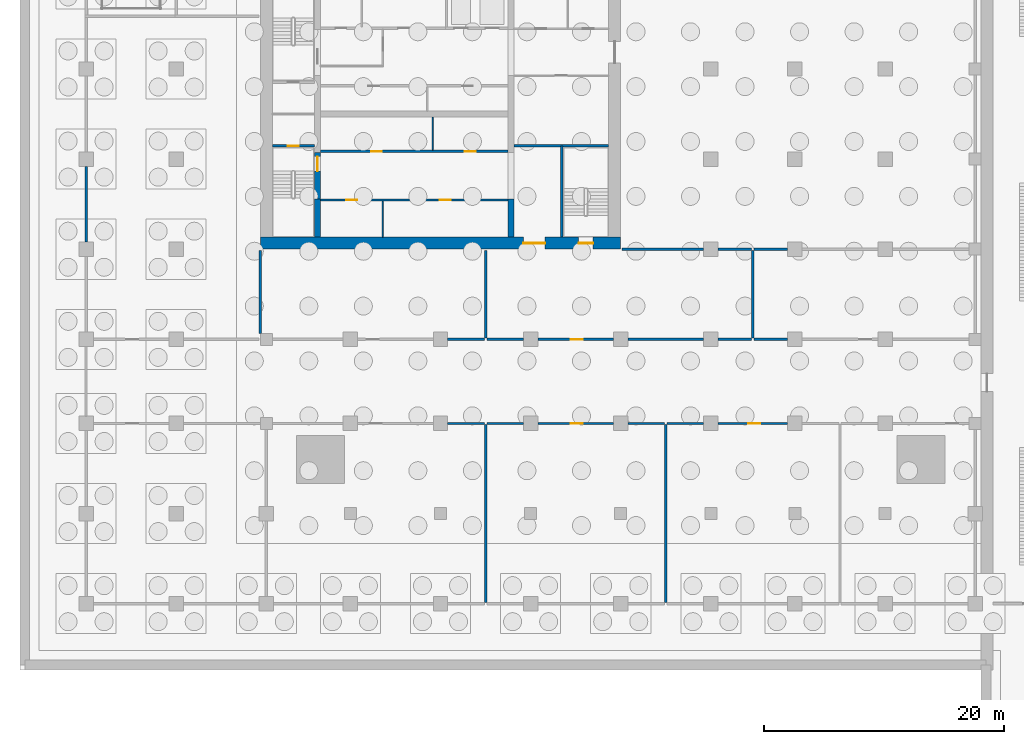
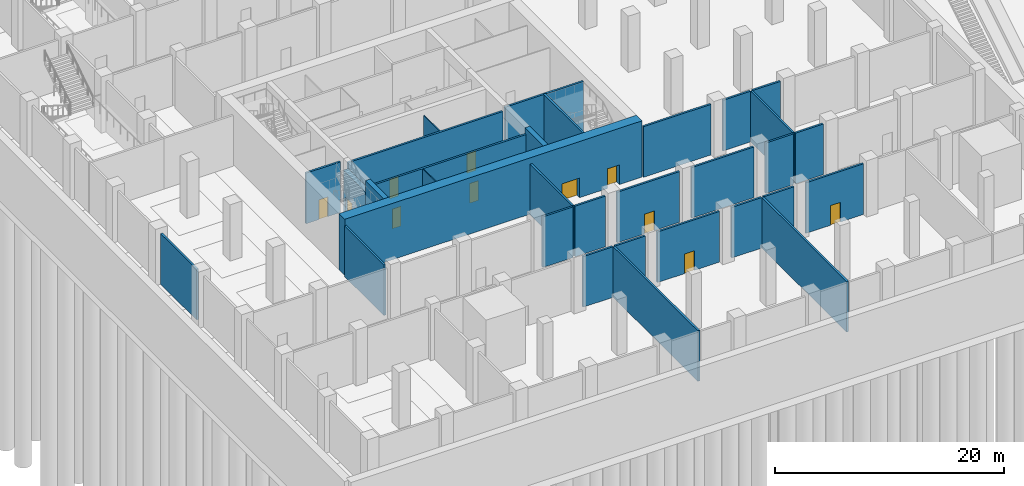
# One storey, part 7 of 39: 32 walls, 11 doors, 11 openings.
"""IFC4 building model written with IfcOpenShell, lengths in metres."""

from ifc_helpers import new_model, si_unit, direction, frame, frame_2d, origin, place, context, subcontext, project, spatial, rectangle, extrude, material, layer, layer_set, type_object, element, fill, save


model = new_model("IFC4")

# Units and contexts
model_context = context("Model", 3, precision=1e-05, world=origin(), true_north=direction((0.0, 1.0)))
body_context = subcontext(model_context, "Body", "Model", "MODEL_VIEW")
ifc_project = project(units=[si_unit("LENGTHUNIT", "METRE"), si_unit("AREAUNIT", "SQUARE_METRE"), si_unit("VOLUMEUNIT", "CUBIC_METRE"), si_unit("PLANEANGLEUNIT", "RADIAN"), si_unit("MASSUNIT", "GRAM", prefix="KILO")], contexts=[model_context])

# Site, building, storey
site_placement = place(None, origin())
site = spatial("IfcSite", under=ifc_project, at=site_placement, CompositionType="ELEMENT")
building_placement = place(site_placement, origin())
building = spatial("IfcBuilding", under=site, at=building_placement, Name="Tamorin Gate", CompositionType="ELEMENT")
storey_placement = place(building_placement, frame((0.0, 0.0, -12.0)))
storey = spatial("IfcBuildingStorey", under=building, at=storey_placement, Name="B2", CompositionType="ELEMENT", Elevation=-12.0)

# Walls
ifc_material_1 = material(Name="Concrete masonry C20/25", Category="masonry")
ifc_layer_1 = layer(ifc_material_1, 0.199951171875)
ifc_layer_set_1 = layer_set([ifc_layer_1], Name="Plant room wall 200")
wall_type_1 = type_object("IfcWallType", Name="Plant room wall 200", PredefinedType="PARTITIONING", material=ifc_layer_set_1)
for number, where, z_axis, x_axis, name in (
    (1, (45.60009765625, 45.5, 0.0), (0.0, 0.0, 1.0), (1.0, 0.0, 0.0), "Plant room wall 200 B2"),
    (2, (48.85009765625, 45.5, 0.0), (0.0, 0.0, 1.0), (1.0, 0.0, 0.0), "Plant room wall 200 B2"),
):
    element("IfcWall", number, at=place(storey_placement, frame(where, z_axis=z_axis, x_axis=x_axis)), inside=storey, type_object=wall_type_1, Name=name, PredefinedType="PARTITIONING", context=body_context, shape_type="SweptSolid", body=[
        extrude(rectangle(XDim=3.0498046875, YDim=0.199951171875, at=frame_2d((1.52490234375, 0.0))), origin(), (0.0, 0.0, 1.0), 5.39990234375),
    ])

# Wall, opening, door
wall_1_placement = place(storey_placement, frame((53.10009765625, 45.5, 0.0), z_axis=(0.0, 0.0, 1.0), x_axis=(1.0, 0.0, 0.0)))
wall_1 = element("IfcWall", 3, at=wall_1_placement, inside=storey, type_object=wall_type_1, Name="Plant room wall 200 B2", PredefinedType="PARTITIONING", context=body_context, shape_type="SweptSolid", body=[
    extrude(rectangle(XDim=6.2998046875, YDim=0.199951171875, at=frame_2d((3.14990234375, 0.0))), origin(), (0.0, 0.0, 1.0), 5.39990234375),
])
opening_1_placement = place(wall_1_placement, frame((2.75, 0.0, 0.0)))
opening_1 = element("IfcOpeningElement", 4, at=opening_1_placement, cuts=wall_1, Name="Opening DP2", PredefinedType="OPENING", context=body_context, shape_type="SweptSolid", body=[
    extrude(rectangle(XDim=1.0, YDim=2.10009765625, at=frame_2d((0.5, 1.050048828125))), frame((0.0, 0.10986328125, 0.0), z_axis=(0.0, -1.0, 0.0), x_axis=(1.0, 0.0, 0.0)), (0.0, 0.0, 1.0), 0.219970703125),
])
ifc_material_2 = material(Name="Painted steel", Category="steel")
door_type_1 = type_object("IfcDoorType", Name="Door single 1000", OperationType="SINGLE_SWING_LEFT", PredefinedType="DOOR", material=ifc_material_2)
door_1_placement = place(opening_1_placement, origin())
door_1 = element("IfcDoor", 5, at=door_1_placement, inside=storey, type_object=door_type_1, Name="Door single 1000 B2", OperationType="SINGLE_SWING_LEFT", OverallHeight=2.10009765625, OverallWidth=1.0, PredefinedType="DOOR", context=body_context, shape_type="SweptSolid", body=[
    extrude(rectangle(XDim=1.0, YDim=2.10009765625, at=frame_2d((0.5, 1.050048828125))), frame((0.0, 0.02490234375, 0.0), z_axis=(0.0, -1.0, 0.0), x_axis=(1.0, 0.0, 0.0)), (0.0, 0.0, 1.0), 0.050048828125),
])
fill(opening_1, door_1)

# Walls
for number, where, z_axis, x_axis, name in (
    (6, (60.60009765625, 45.5, 0.0), (0.0, 0.0, 1.0), (1.0, 0.0, 0.0), "Plant room wall 200 B2"),
    (7, (63.85009765625, 45.5, 0.0), (0.0, 0.0, 1.0), (1.0, 0.0, 0.0), "Plant room wall 200 B2"),
):
    element("IfcWall", number, at=place(storey_placement, frame(where, z_axis=z_axis, x_axis=x_axis)), inside=storey, type_object=wall_type_1, Name=name, PredefinedType="PARTITIONING", context=body_context, shape_type="SweptSolid", body=[
        extrude(rectangle(XDim=3.0498046875, YDim=0.199951171875, at=frame_2d((1.52490234375, 0.0))), origin(), (0.0, 0.0, 1.0), 5.39990234375),
    ])

# Wall, opening, door
wall_2_placement = place(storey_placement, frame((68.10009765625, 45.5, 0.0), z_axis=(0.0, 0.0, 1.0), x_axis=(1.0, 0.0, 0.0)))
wall_2 = element("IfcWall", 8, at=wall_2_placement, inside=storey, type_object=wall_type_1, Name="Plant room wall 200 B2", PredefinedType="PARTITIONING", context=body_context, shape_type="SweptSolid", body=[
    extrude(rectangle(XDim=5.7998046875, YDim=0.199951171875, at=frame_2d((2.89990234375, 0.0))), origin(), (0.0, 0.0, 1.0), 5.39990234375),
])
opening_2_placement = place(wall_2_placement, frame((2.5, 0.0, 0.0)))
opening_2 = element("IfcOpeningElement", 9, at=opening_2_placement, cuts=wall_2, Name="Opening DP2", PredefinedType="OPENING", context=body_context, shape_type="SweptSolid", body=[
    extrude(rectangle(XDim=1.0, YDim=2.10009765625, at=frame_2d((0.5, 1.050048828125))), frame((0.0, 0.10986328125, 0.0), z_axis=(0.0, -1.0, 0.0), x_axis=(1.0, 0.0, 0.0)), (0.0, 0.0, 1.0), 0.219970703125),
])
door_2_placement = place(opening_2_placement, origin())
door_2 = element("IfcDoor", 10, at=door_2_placement, inside=storey, type_object=door_type_1, Name="Door single 1000 B2", OperationType="SINGLE_SWING_LEFT", OverallHeight=2.10009765625, OverallWidth=1.0, PredefinedType="DOOR", context=body_context, shape_type="SweptSolid", body=[
    extrude(rectangle(XDim=1.0, YDim=2.10009765625, at=frame_2d((0.5, 1.050048828125))), frame((0.0, 0.02490234375, 0.0), z_axis=(0.0, -1.0, 0.0), x_axis=(1.0, 0.0, 0.0)), (0.0, 0.0, 1.0), 0.050048828125),
])
fill(opening_2, door_2)

# Walls
for number, where, z_axis, x_axis, name in (
    (11, (45.60009765625, 52.5, 0.0), (0.0, 0.0, 1.0), (1.0, 0.0, 0.0), "Plant room wall 200 B2"),
    (12, (48.85009765625, 52.5, 0.0), (0.0, 0.0, 1.0), (1.0, 0.0, 0.0), "Plant room wall 200 B2"),
):
    element("IfcWall", number, at=place(storey_placement, frame(where, z_axis=z_axis, x_axis=x_axis)), inside=storey, type_object=wall_type_1, Name=name, PredefinedType="PARTITIONING", context=body_context, shape_type="SweptSolid", body=[
        extrude(rectangle(XDim=3.0498046875, YDim=0.199951171875, at=frame_2d((1.52490234375, 0.0))), origin(), (0.0, 0.0, 1.0), 5.39990234375),
    ])

# Wall, opening, door
wall_3_placement = place(storey_placement, frame((59.39990234375, 52.5, 0.0), z_axis=(0.0, 0.0, 1.0), x_axis=(-1.0, 0.0, 0.0)))
wall_3 = element("IfcWall", 13, at=wall_3_placement, inside=storey, type_object=wall_type_1, Name="Plant room wall 200 B2", PredefinedType="PARTITIONING", context=body_context, shape_type="SweptSolid", body=[
    extrude(rectangle(XDim=6.2998046875, YDim=0.199951171875, at=frame_2d((3.14990234375, 0.0))), origin(), (0.0, 0.0, 1.0), 5.39990234375),
])
opening_3_placement = place(wall_3_placement, frame((2.550048828125, 0.0, 0.0)))
opening_3 = element("IfcOpeningElement", 14, at=opening_3_placement, cuts=wall_3, Name="Opening DP2", PredefinedType="OPENING", context=body_context, shape_type="SweptSolid", body=[
    extrude(rectangle(XDim=1.0, YDim=2.10009765625, at=frame_2d((0.5, 1.050048828125))), frame((0.0, 0.10986328125, 0.0), z_axis=(0.0, -1.0, 0.0), x_axis=(1.0, 0.0, 0.0)), (0.0, 0.0, 1.0), 0.219970703125),
])
door_3_placement = place(opening_3_placement, origin())
door_3 = element("IfcDoor", 15, at=door_3_placement, inside=storey, type_object=door_type_1, Name="Door single 1000 B2", OperationType="SINGLE_SWING_LEFT", OverallHeight=2.10009765625, OverallWidth=1.0, PredefinedType="DOOR", context=body_context, shape_type="SweptSolid", body=[
    extrude(rectangle(XDim=1.0, YDim=2.10009765625, at=frame_2d((0.5, 1.050048828125))), frame((0.0, 0.02490234375, 0.0), z_axis=(0.0, -1.0, 0.0), x_axis=(1.0, 0.0, 0.0)), (0.0, 0.0, 1.0), 0.050048828125),
])
fill(opening_3, door_3)

# Walls
wall_4_placement = place(storey_placement, frame((60.60009765625, 52.5, 0.0), z_axis=(0.0, 0.0, 1.0), x_axis=(1.0, 0.0, 0.0)))
element("IfcWall", 16, at=wall_4_placement, inside=storey, type_object=wall_type_1, Name="Plant room wall 200 B2", PredefinedType="PARTITIONING", context=body_context, shape_type="SweptSolid", body=[
    extrude(rectangle(XDim=6.2998046875, YDim=0.199951171875, at=frame_2d((3.14990234375, 0.0))), origin(), (0.0, 0.0, 1.0), 5.39990234375),
])
for number, where, z_axis, x_axis, name in (
    (17, (68.10009765625, 52.5, 0.0), (0.0, 0.0, 1.0), (1.0, 0.0, 0.0), "Plant room wall 200 B2"),
    (18, (71.10009765625, 52.5, 0.0), (0.0, 0.0, 1.0), (1.0, 0.0, 0.0), "Plant room wall 200 B2"),
):
    element("IfcWall", number, at=place(storey_placement, frame(where, z_axis=z_axis, x_axis=x_axis)), inside=storey, type_object=wall_type_1, Name=name, PredefinedType="PARTITIONING", context=body_context, shape_type="SweptSolid", body=[
        extrude(rectangle(XDim=2.7998046875, YDim=0.199951171875, at=frame_2d((1.39990234375, 0.0))), origin(), (0.0, 0.0, 1.0), 5.39990234375),
    ])
wall_5_placement = place(storey_placement, frame((60.10009765625, 60.0, 0.0), z_axis=(0.0, 0.0, 1.0), x_axis=(1.0, 0.0, 0.0)))
element("IfcWall", 19, at=wall_5_placement, inside=storey, type_object=wall_type_1, Name="Plant room wall 200 B2", PredefinedType="PARTITIONING", context=body_context, shape_type="SweptSolid", body=[
    extrude(rectangle(XDim=6.7998046875, YDim=0.199951171875, at=frame_2d((3.39990234375, 0.0))), origin(), (0.0, 0.0, 1.0), 5.39990234375),
])
for number, where, z_axis, x_axis, name in (
    (20, (68.10009765625, 60.0, 0.0), (0.0, 0.0, 1.0), (1.0, 0.0, 0.0), "Plant room wall 200 B2"),
    (21, (71.10009765625, 60.0, 0.0), (0.0, 0.0, 1.0), (1.0, 0.0, 0.0), "Plant room wall 200 B2"),
):
    element("IfcWall", number, at=place(storey_placement, frame(where, z_axis=z_axis, x_axis=x_axis)), inside=storey, type_object=wall_type_1, Name=name, PredefinedType="PARTITIONING", context=body_context, shape_type="SweptSolid", body=[
        extrude(rectangle(XDim=2.7998046875, YDim=0.199951171875, at=frame_2d((1.39990234375, 0.0))), origin(), (0.0, 0.0, 1.0), 5.39990234375),
    ])
wall_6_placement = place(storey_placement, frame((15.5, 60.60009765625, 0.0), z_axis=(0.0, 0.0, 1.0), x_axis=(0.0, 1.0, 0.0)))
element("IfcWall", 22, at=wall_6_placement, inside=storey, type_object=wall_type_1, Name="Plant room wall 200 B2", PredefinedType="PARTITIONING", context=body_context, shape_type="SweptSolid", body=[
    extrude(rectangle(XDim=6.2998046875, YDim=0.199951171875, at=frame_2d((3.14990234375, 0.0))), origin(), (0.0, 0.0, 1.0), 5.39990234375),
])
wall_7_placement = place(storey_placement, frame((48.75, 30.60009765625, 0.0), z_axis=(0.0, 0.0, 1.0), x_axis=(0.0, 1.0, 0.0)))
element("IfcWall", 23, at=wall_7_placement, inside=storey, type_object=wall_type_1, Name="Plant room wall 200 B2", PredefinedType="PARTITIONING", context=body_context, shape_type="SweptSolid", body=[
    extrude(rectangle(XDim=14.7998046875, YDim=0.199951171875, at=frame_2d((7.39990234375, 0.0))), origin(), (0.0, 0.0, 1.0), 5.39990234375),
])
wall_8_placement = place(storey_placement, frame((48.75, 52.60009765625, 0.0), z_axis=(0.0, 0.0, 1.0), x_axis=(0.0, 1.0, 0.0)))
element("IfcWall", 24, at=wall_8_placement, inside=storey, type_object=wall_type_1, Name="Plant room wall 200 B2", PredefinedType="PARTITIONING", context=body_context, shape_type="SweptSolid", body=[
    extrude(rectangle(XDim=7.2998046875, YDim=0.199951171875, at=frame_2d((3.64990234375, 0.0))), origin(), (0.0, 0.0, 1.0), 5.39990234375),
])
wall_9_placement = place(storey_placement, frame((63.75, 30.60009765625, 0.0), z_axis=(0.0, 0.0, 1.0), x_axis=(0.0, 1.0, 0.0)))
element("IfcWall", 25, at=wall_9_placement, inside=storey, type_object=wall_type_1, Name="Plant room wall 200 B2", PredefinedType="PARTITIONING", context=body_context, shape_type="SweptSolid", body=[
    extrude(rectangle(XDim=14.7998046875, YDim=0.199951171875, at=frame_2d((7.39990234375, 0.0))), origin(), (0.0, 0.0, 1.0), 5.39990234375),
])
wall_10_placement = place(storey_placement, frame((30.0, 53.0, 0.0), z_axis=(0.0, 0.0, 1.0), x_axis=(0.0, 1.0, 0.0)))
element("IfcWall", 26, at=wall_10_placement, inside=storey, type_object=wall_type_1, Name="Plant room wall 200 B2", PredefinedType="PARTITIONING", context=body_context, shape_type="SweptSolid", body=[
    extrude(rectangle(XDim=6.89990234375, YDim=0.199951171875, at=frame_2d((3.449951171875, 0.0))), origin(), (0.0, 0.0, 1.0), 5.39990234375),
])
wall_11_placement = place(storey_placement, frame((71.0, 52.60009765625, 0.0), z_axis=(0.0, 0.0, 1.0), x_axis=(0.0, 1.0, 0.0)))
element("IfcWall", 27, at=wall_11_placement, inside=storey, type_object=wall_type_1, Name="Plant room wall 200 B2", PredefinedType="PARTITIONING", context=body_context, shape_type="SweptSolid", body=[
    extrude(rectangle(XDim=7.2998046875, YDim=0.199951171875, at=frame_2d((3.64990234375, 0.0))), origin(), (0.0, 0.0, 1.0), 5.39990234375),
])
ifc_material_3 = material(Name="Concrete C80/95", Category="concrete")
ifc_layer_2 = layer(ifc_material_3, 0.5)
ifc_layer_set_2 = layer_set([ifc_layer_2], Name="RC core internal wall 500 C80/95")
wall_type_2 = type_object("IfcWallType", Name="RC core internal wall 500 C80/95", PredefinedType="SHEAR", material=ifc_layer_set_2)
for number, where, z_axis, x_axis, name in (
    (28, (34.75, 61.0, 0.0), (0.0, 0.0, 1.0), (0.0, 1.0, 0.0), "Core cross wall B2"),
    (29, (50.85009765625, 61.0, 0.0), (0.0, 0.0, 1.0), (0.0, 1.0, 0.0), "Core cross wall B2"),
):
    element("IfcWall", number, at=place(storey_placement, frame(where, z_axis=z_axis, x_axis=x_axis)), inside=storey, type_object=wall_type_2, Name=name, PredefinedType="SHEAR", context=body_context, shape_type="SweptSolid", body=[
        extrude(rectangle(XDim=3.199951171875, YDim=0.5, at=frame_2d((1.60009765625, 0.0))), origin(), (0.0, 0.0, 1.0), 6.0),
    ])

# Wall, openings, doors
ifc_layer_3 = layer(ifc_material_3, 1.0)
ifc_layer_set_3 = layer_set([ifc_layer_3], Name="RC core wall 1000 C80/95")
wall_type_3 = type_object("IfcWallType", Name="RC core wall 1000 C80/95", PredefinedType="SHEAR", material=ifc_layer_set_3)
wall_12_placement = place(storey_placement, frame((30.0, 60.5, 0.0), z_axis=(0.0, 0.0, 1.0), x_axis=(1.0, 0.0, 0.0)))
wall_12 = element("IfcWall", 30, at=wall_12_placement, inside=storey, type_object=wall_type_3, Name="Core wall B2", PredefinedType="SHEAR", context=body_context, shape_type="SweptSolid", body=[
    extrude(rectangle(XDim=30.0, YDim=1.0, at=frame_2d((15.0, 0.0))), origin(), (0.0, 0.0, 1.0), 6.0),
])
opening_4_placement = place(wall_12_placement, frame((21.89990234375, 0.0, 0.0)))
opening_4 = element("IfcOpeningElement", 31, at=opening_4_placement, cuts=wall_12, Name="Opening DE1", PredefinedType="OPENING", context=body_context, shape_type="SweptSolid", body=[
    extrude(rectangle(XDim=1.800048828125, YDim=2.10009765625, at=frame_2d((0.89990234375, 1.050048828125))), frame((0.0, 0.510009765625, 0.0), z_axis=(0.0, -1.0, 0.0), x_axis=(1.0, 0.0, 0.0)), (0.0, 0.0, 1.0), 1.02001953125),
])
opening_5_placement = place(wall_12_placement, frame((26.5, 0.0, 0.0)))
opening_5 = element("IfcOpeningElement", 32, at=opening_5_placement, cuts=wall_12, Name="Opening DS1", PredefinedType="OPENING", context=body_context, shape_type="SweptSolid", body=[
    extrude(rectangle(XDim=1.199951171875, YDim=2.10009765625, at=frame_2d((0.60009765625, 1.050048828125))), frame((0.0, 0.510009765625, 0.0), z_axis=(0.0, -1.0, 0.0), x_axis=(1.0, 0.0, 0.0)), (0.0, 0.0, 1.0), 1.02001953125),
])
ifc_material_4 = material(Name="Steel fire door", Category="steel")
door_type_2 = type_object("IfcDoorType", Name="Lobby exit double door 1800 x 2100 EI 60", OperationType="DOUBLE_DOOR_SINGLE_SWING", PredefinedType="DOOR", material=ifc_material_4)
door_4_placement = place(opening_4_placement, origin())
door_4 = element("IfcDoor", 33, at=door_4_placement, inside=storey, type_object=door_type_2, Name="Lift lobby A exit door", OperationType="DOUBLE_DOOR_SINGLE_SWING", OverallHeight=2.10009765625, OverallWidth=1.800048828125, PredefinedType="DOOR", context=body_context, shape_type="SweptSolid", body=[
    extrude(rectangle(XDim=1.800048828125, YDim=2.10009765625, at=frame_2d((0.89990234375, 1.050048828125))), frame((0.0, 0.02490234375, 0.0), z_axis=(0.0, -1.0, 0.0), x_axis=(1.0, 0.0, 0.0)), (0.0, 0.0, 1.0), 0.050048828125),
])
fill(opening_4, door_4)
door_type_3 = type_object("IfcDoorType", Name="Stair door 1200 x 2100 EI 90", OperationType="SINGLE_SWING_LEFT", PredefinedType="DOOR", material=ifc_material_4)
door_5_placement = place(opening_5_placement, origin())
door_5 = element("IfcDoor", 34, at=door_5_placement, inside=storey, type_object=door_type_3, Name="ST3 door", OperationType="SINGLE_SWING_LEFT", OverallHeight=2.10009765625, OverallWidth=1.199951171875, PredefinedType="DOOR", context=body_context, shape_type="SweptSolid", body=[
    extrude(rectangle(XDim=1.199951171875, YDim=2.10009765625, at=frame_2d((0.60009765625, 1.050048828125))), frame((0.0, 0.02490234375, 0.0), z_axis=(0.0, -1.0, 0.0), x_axis=(1.0, 0.0, 0.0)), (0.0, 0.0, 1.0), 0.050048828125),
])
fill(opening_5, door_5)

ifc_material_5 = material(Name="Gypsum board partition")
ifc_layer_4 = layer(ifc_material_5, 0.199951171875)
ifc_layer_set_4 = layer_set([ifc_layer_4], Name="Service room face wall 200 EI 60")
wall_type_4 = type_object("IfcWallType", Name="Service room face wall 200 EI 60", PredefinedType="PARTITIONING", material=ifc_layer_set_4)
wall_13_placement = place(storey_placement, frame((35.0, 64.10009765625, 0.0), z_axis=(0.0, 0.0, 1.0), x_axis=(1.0, 0.0, 0.0)))
wall_13 = element("IfcWall", 35, at=wall_13_placement, inside=storey, type_object=wall_type_4, Name="Service room face wall", PredefinedType="PARTITIONING", context=body_context, shape_type="SweptSolid", body=[
    extrude(rectangle(XDim=15.60009765625, YDim=0.199951171875, at=frame_2d((7.800048828125, 0.0))), origin(), (0.0, 0.0, 1.0), 5.39990234375),
])
opening_6_placement = place(wall_13_placement, frame((2.14990234375, 0.0, 0.0)))
opening_6 = element("IfcOpeningElement", 36, at=opening_6_placement, cuts=wall_13, Name="Opening DK1", PredefinedType="OPENING", context=body_context, shape_type="SweptSolid", body=[
    extrude(rectangle(XDim=0.89990234375, YDim=2.10009765625, at=frame_2d((0.449951171875, 1.050048828125))), frame((0.0, 0.10986328125, 0.0), z_axis=(0.0, -1.0, 0.0), x_axis=(1.0, 0.0, 0.0)), (0.0, 0.0, 1.0), 0.219970703125),
])
opening_7_placement = place(wall_13_placement, frame((9.949951171875, 0.0, 0.0)))
opening_7 = element("IfcOpeningElement", 37, at=opening_7_placement, cuts=wall_13, Name="Opening DK1", PredefinedType="OPENING", context=body_context, shape_type="SweptSolid", body=[
    extrude(rectangle(XDim=0.89990234375, YDim=2.10009765625, at=frame_2d((0.449951171875, 1.050048828125))), frame((0.0, 0.10986328125, 0.0), z_axis=(0.0, -1.0, 0.0), x_axis=(1.0, 0.0, 0.0)), (0.0, 0.0, 1.0), 0.219970703125),
])
ifc_material_6 = material(Name="Timber fire door", Category="wood")
door_type_4 = type_object("IfcDoorType", Name="Service room door 900 x 2100 EI 60", OperationType="SINGLE_SWING_LEFT", PredefinedType="DOOR", material=ifc_material_6)
door_6_placement = place(opening_6_placement, origin())
door_6 = element("IfcDoor", 38, at=door_6_placement, inside=storey, type_object=door_type_4, Name="Door Cable riser store", OperationType="SINGLE_SWING_RIGHT", OverallHeight=2.10009765625, OverallWidth=0.89990234375, PredefinedType="DOOR", context=body_context, shape_type="SweptSolid", body=[
    extrude(rectangle(XDim=0.89990234375, YDim=2.10009765625, at=frame_2d((0.449951171875, 1.050048828125))), frame((0.0, 0.02490234375, 0.0), z_axis=(0.0, -1.0, 0.0), x_axis=(1.0, 0.0, 0.0)), (0.0, 0.0, 1.0), 0.050048828125),
])
fill(opening_6, door_6)
door_7_placement = place(opening_7_placement, origin())
door_7 = element("IfcDoor", 39, at=door_7_placement, inside=storey, type_object=door_type_4, Name="Door Cleaner's store", OperationType="SINGLE_SWING_LEFT", OverallHeight=2.10009765625, OverallWidth=0.89990234375, PredefinedType="DOOR", context=body_context, shape_type="SweptSolid", body=[
    extrude(rectangle(XDim=0.89990234375, YDim=2.10009765625, at=frame_2d((0.449951171875, 1.050048828125))), frame((0.0, 0.02490234375, 0.0), z_axis=(0.0, -1.0, 0.0), x_axis=(1.0, 0.0, 0.0)), (0.0, 0.0, 1.0), 0.050048828125),
])
fill(opening_7, door_7)

wall_14_placement = place(storey_placement, frame((35.0, 68.14990234375, 0.0), z_axis=(0.0, 0.0, 1.0), x_axis=(1.0, 0.0, 0.0)))
wall_14 = element("IfcWall", 40, at=wall_14_placement, inside=storey, type_object=wall_type_4, Name="Service room face wall", PredefinedType="PARTITIONING", context=body_context, shape_type="SweptSolid", body=[
    extrude(rectangle(XDim=15.60009765625, YDim=0.199951171875, at=frame_2d((7.800048828125, 0.0))), origin(), (0.0, 0.0, 1.0), 5.39990234375),
])
opening_8_placement = place(wall_14_placement, frame((4.22509765625, 0.0, 0.0)))
opening_8 = element("IfcOpeningElement", 41, at=opening_8_placement, cuts=wall_14, Name="Opening DK1", PredefinedType="OPENING", context=body_context, shape_type="SweptSolid", body=[
    extrude(rectangle(XDim=0.89990234375, YDim=2.10009765625, at=frame_2d((0.449951171875, 1.050048828125))), frame((0.0, 0.10986328125, 0.0), z_axis=(0.0, -1.0, 0.0), x_axis=(1.0, 0.0, 0.0)), (0.0, 0.0, 1.0), 0.219970703125),
])
opening_9_placement = place(wall_14_placement, frame((12.02490234375, 0.0, 0.0)))
opening_9 = element("IfcOpeningElement", 42, at=opening_9_placement, cuts=wall_14, Name="Opening DK1", PredefinedType="OPENING", context=body_context, shape_type="SweptSolid", body=[
    extrude(rectangle(XDim=0.89990234375, YDim=2.10009765625, at=frame_2d((0.449951171875, 1.050048828125))), frame((0.0, 0.10986328125, 0.0), z_axis=(0.0, -1.0, 0.0), x_axis=(1.0, 0.0, 0.0)), (0.0, 0.0, 1.0), 0.219970703125),
])
door_8_placement = place(opening_8_placement, origin())
door_8 = element("IfcDoor", 43, at=door_8_placement, inside=storey, type_object=door_type_4, Name="Door Staff WC", OperationType="SINGLE_SWING_RIGHT", OverallHeight=2.10009765625, OverallWidth=0.89990234375, PredefinedType="DOOR", context=body_context, shape_type="SweptSolid", body=[
    extrude(rectangle(XDim=0.89990234375, YDim=2.10009765625, at=frame_2d((0.449951171875, 1.050048828125))), frame((0.0, 0.02490234375, 0.0), z_axis=(0.0, -1.0, 0.0), x_axis=(1.0, 0.0, 0.0)), (0.0, 0.0, 1.0), 0.050048828125),
])
fill(opening_8, door_8)
door_9_placement = place(opening_9_placement, origin())
door_9 = element("IfcDoor", 44, at=door_9_placement, inside=storey, type_object=door_type_4, Name="Door Pump room", OperationType="SINGLE_SWING_LEFT", OverallHeight=2.10009765625, OverallWidth=0.89990234375, PredefinedType="DOOR", context=body_context, shape_type="SweptSolid", body=[
    extrude(rectangle(XDim=0.89990234375, YDim=2.10009765625, at=frame_2d((0.449951171875, 1.050048828125))), frame((0.0, 0.02490234375, 0.0), z_axis=(0.0, -1.0, 0.0), x_axis=(1.0, 0.0, 0.0)), (0.0, 0.0, 1.0), 0.050048828125),
])
fill(opening_9, door_9)

# Walls
ifc_layer_5 = layer(ifc_material_5, 0.10009765625)
ifc_layer_set_5 = layer_set([ifc_layer_5], Name="Service room partition 100 EI 60")
wall_type_5 = type_object("IfcWallType", Name="Service room partition 100 EI 60", PredefinedType="PARTITIONING", material=ifc_layer_set_5)
wall_15_placement = place(storey_placement, frame((40.199951171875, 61.0, 0.0), z_axis=(0.0, 0.0, 1.0), x_axis=(0.0, 1.0, 0.0)))
element("IfcWall", 45, at=wall_15_placement, inside=storey, type_object=wall_type_5, Name="Service room partition", PredefinedType="PARTITIONING", context=body_context, shape_type="SweptSolid", body=[
    extrude(rectangle(XDim=3.0, YDim=0.10009765625, at=frame_2d((1.5, 0.0))), origin(), (0.0, 0.0, 1.0), 5.39990234375),
])
wall_16_placement = place(storey_placement, frame((44.35009765625, 68.25, 0.0), z_axis=(0.0, 0.0, 1.0), x_axis=(0.0, 1.0, 0.0)))
element("IfcWall", 46, at=wall_16_placement, inside=storey, type_object=wall_type_5, Name="Service room partition", PredefinedType="PARTITIONING", context=body_context, shape_type="SweptSolid", body=[
    extrude(rectangle(XDim=2.75, YDim=0.10009765625, at=frame_2d((1.375, 0.0))), origin(), (0.0, 0.0, 1.0), 5.39990234375),
])

# Wall, opening, door
ifc_material_7 = material(Name="Concrete C40/50", Category="concrete")
ifc_layer_6 = layer(ifc_material_7, 0.199951171875)
ifc_layer_set_6 = layer_set([ifc_layer_6], Name="Stair enclosure wall 200 EI 120 C40/50")
wall_type_6 = type_object("IfcWallType", Name="Stair enclosure wall 200 EI 120 C40/50", PredefinedType="SOLIDWALL", material=ifc_layer_set_6)
wall_17_placement = place(storey_placement, frame((31.0, 68.60009765625, 0.0), z_axis=(0.0, 0.0, 1.0), x_axis=(1.0, 0.0, 0.0)))
wall_17 = element("IfcWall", 47, at=wall_17_placement, inside=storey, type_object=wall_type_6, Name="Stair enclosure wall", PredefinedType="SOLIDWALL", context=body_context, shape_type="SweptSolid", body=[
    extrude(rectangle(XDim=3.5, YDim=0.199951171875, at=frame_2d((1.75, 0.0))), origin(), (0.0, 0.0, 1.0), 5.39990234375),
])
opening_10_placement = place(wall_17_placement, frame((1.300048828125, 0.0, 0.0)))
opening_10 = element("IfcOpeningElement", 48, at=opening_10_placement, cuts=wall_17, Name="Opening DR1", PredefinedType="OPENING", context=body_context, shape_type="SweptSolid", body=[
    extrude(rectangle(XDim=0.89990234375, YDim=2.10009765625, at=frame_2d((0.449951171875, 1.050048828125))), frame((0.0, 0.10986328125, 0.0), z_axis=(0.0, -1.0, 0.0), x_axis=(1.0, 0.0, 0.0)), (0.0, 0.0, 1.0), 0.219970703125),
])
door_type_5 = type_object("IfcDoorType", Name="Riser access door 900 x 2100 EI 120", OperationType="SINGLE_SWING_LEFT", PredefinedType="DOOR", material=ifc_material_4)
door_10_placement = place(opening_10_placement, origin())
door_10 = element("IfcDoor", 49, at=door_10_placement, inside=storey, type_object=door_type_5, Name="Electrical riser door", OperationType="SINGLE_SWING_LEFT", OverallHeight=2.10009765625, OverallWidth=0.89990234375, PredefinedType="DOOR", context=body_context, shape_type="SweptSolid", body=[
    extrude(rectangle(XDim=0.89990234375, YDim=2.10009765625, at=frame_2d((0.449951171875, 1.050048828125))), frame((0.0, 0.02490234375, 0.0), z_axis=(0.0, -1.0, 0.0), x_axis=(1.0, 0.0, 0.0)), (0.0, 0.0, 1.0), 0.050048828125),
])
fill(opening_10, door_10)

# Walls
wall_18_placement = place(storey_placement, frame((55.10009765625, 61.0, 0.0), z_axis=(0.0, 0.0, 1.0), x_axis=(0.0, 1.0, 0.0)))
element("IfcWall", 50, at=wall_18_placement, inside=storey, type_object=wall_type_6, Name="Stair enclosure wall", PredefinedType="SOLIDWALL", context=body_context, shape_type="SweptSolid", body=[
    extrude(rectangle(XDim=7.60009765625, YDim=0.199951171875, at=frame_2d((3.800048828125, 0.0))), origin(), (0.0, 0.0, 1.0), 5.39990234375),
])
wall_19_placement = place(storey_placement, frame((51.10009765625, 68.60009765625, 0.0), z_axis=(0.0, 0.0, 1.0), x_axis=(1.0, 0.0, 0.0)))
element("IfcWall", 51, at=wall_19_placement, inside=storey, type_object=wall_type_6, Name="Stair enclosure wall", PredefinedType="SOLIDWALL", context=body_context, shape_type="SweptSolid", body=[
    extrude(rectangle(XDim=7.89990234375, YDim=0.199951171875, at=frame_2d((3.949951171875, 0.0))), origin(), (0.0, 0.0, 1.0), 5.39990234375),
])

# Wall, opening, door
ifc_material_8 = material(Name="Concrete C32/40", Category="concrete")
ifc_layer_7 = layer(ifc_material_8, 0.5)
ifc_layer_set_7 = layer_set([ifc_layer_7], Name="Stair lobby infill wall 500 EI 120")
wall_type_7 = type_object("IfcWallType", Name="Stair lobby infill wall 500 EI 120", PredefinedType="SOLIDWALL", material=ifc_layer_set_7)
wall_20_placement = place(storey_placement, frame((34.75, 64.199951171875, 0.0), z_axis=(0.0, 0.0, 1.0), x_axis=(0.0, 1.0, 0.0)))
wall_20 = element("IfcWall", 52, at=wall_20_placement, inside=storey, type_object=wall_type_7, Name="Stair lobby infill wall", PredefinedType="SOLIDWALL", context=body_context, shape_type="SweptSolid", body=[
    extrude(rectangle(XDim=3.85009765625, YDim=0.5, at=frame_2d((1.925048828125, 0.0))), origin(), (0.0, 0.0, 1.0), 4.800048828125),
])
opening_11_placement = place(wall_20_placement, frame((2.300048828125, 0.0, 0.0)))
opening_11 = element("IfcOpeningElement", 53, at=opening_11_placement, cuts=wall_20, Name="Opening DS1", PredefinedType="OPENING", context=body_context, shape_type="SweptSolid", body=[
    extrude(rectangle(XDim=1.199951171875, YDim=2.10009765625, at=frame_2d((0.60009765625, 1.050048828125))), frame((0.0, 0.260009765625, 0.0), z_axis=(0.0, -1.0, 0.0), x_axis=(1.0, 0.0, 0.0)), (0.0, 0.0, 1.0), 0.52001953125),
])
door_11_placement = place(opening_11_placement, origin())
door_11 = element("IfcDoor", 54, at=door_11_placement, inside=storey, type_object=door_type_3, Name="ST1 door", OperationType="SINGLE_SWING_LEFT", OverallHeight=2.10009765625, OverallWidth=1.199951171875, PredefinedType="DOOR", context=body_context, shape_type="SweptSolid", body=[
    extrude(rectangle(XDim=1.199951171875, YDim=2.10009765625, at=frame_2d((0.60009765625, 1.050048828125))), frame((0.0, 0.02490234375, 0.0), z_axis=(0.0, -1.0, 0.0), x_axis=(1.0, 0.0, 0.0)), (0.0, 0.0, 1.0), 0.050048828125),
])
fill(opening_11, door_11)

save(model, "model.ifc")
